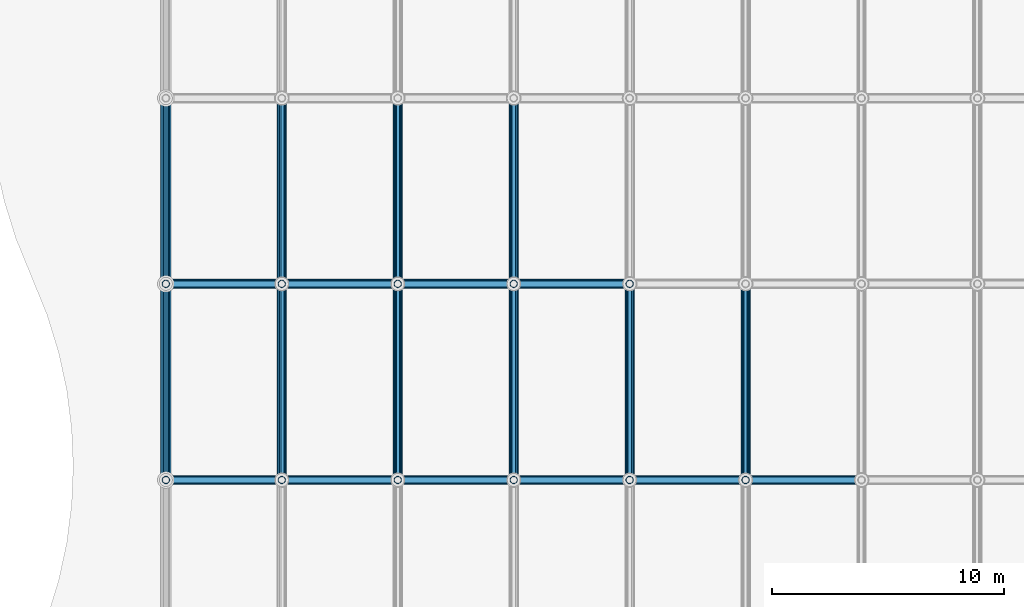
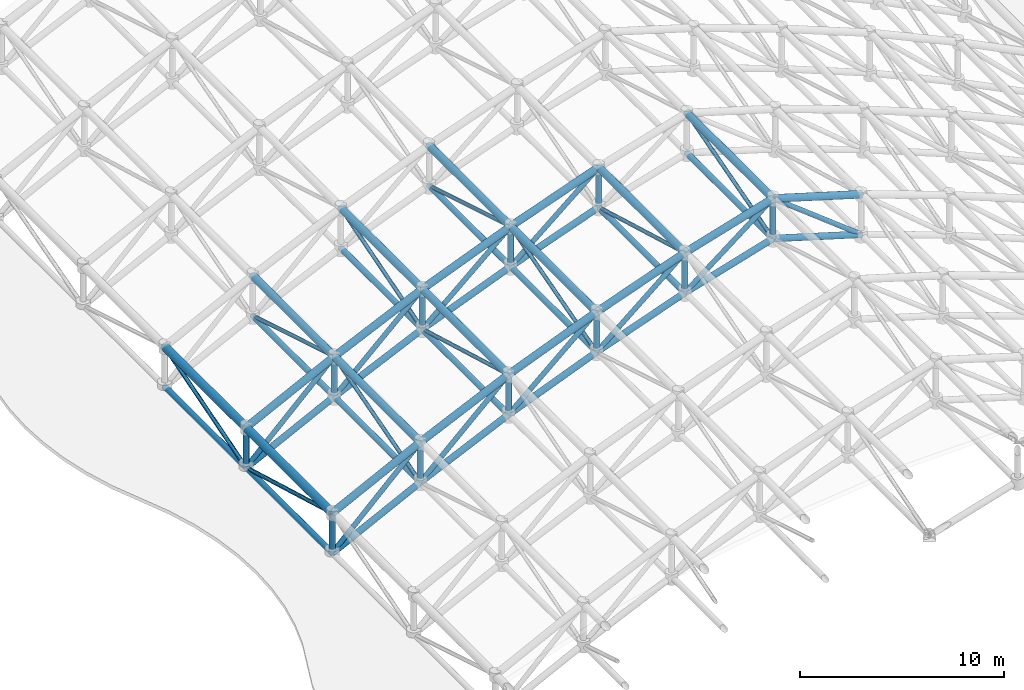
# One storey, part 4 of 11: 71 members.
"""IFC4 building model written with IfcOpenShell, lengths in metres."""

from ifc_helpers import new_model, si_unit, direction, frame, origin, origin_2d, place, context, subcontext, project, spatial, hollow_circle, extrude, material, material_profile, profile_set, type_object, element, save


model = new_model("IFC4")

# Units and contexts
model_context = context("Model", 3, precision=1e-05, world=origin(), true_north=direction((0.0, 1.0)))
body_context = subcontext(model_context, "Body", "Model", "MODEL_VIEW")
ifc_project = project(units=[si_unit("LENGTHUNIT", "METRE"), si_unit("AREAUNIT", "SQUARE_METRE"), si_unit("VOLUMEUNIT", "CUBIC_METRE"), si_unit("PLANEANGLEUNIT", "RADIAN"), si_unit("MASSUNIT", "GRAM", prefix="KILO")], contexts=[model_context])

# Site, building, storey
site_placement = place(None, origin())
site = spatial("IfcSite", under=ifc_project, at=site_placement, CompositionType="ELEMENT")
building_placement = place(site_placement, origin())
building = spatial("IfcBuilding", under=site, at=building_placement, Name="Kazehara Bluff Congress Hotel", CompositionType="ELEMENT")
storey_placement = place(building_placement, frame((0.0, 0.0, 50.39990234375)))
storey = spatial("IfcBuildingStorey", under=building, at=storey_placement, Name="RF", CompositionType="ELEMENT", Elevation=50.39990234375)

# Members
ifc_material_1 = material(Name="Steel STK490", Category="steel")
ifc_material_profile_1 = material_profile(ifc_material_1, hollow_circle(Radius=0.177734375, WallThickness=0.0126953125, at=origin_2d()))
ifc_profile_set_1 = profile_set([ifc_material_profile_1], Name="Steel STK490")
member_type_1 = type_object("IfcMemberType", Name="TP-SF-BC1", PredefinedType="CHORD", material=ifc_profile_set_1)
member_1_placement = place(storey_placement, frame((8.39990234375, 72.449951171875, -30.599853515625), z_axis=(0.894252293271, 0.0, 0.447563220093), x_axis=(0.0, 1.0, 0.0)))
element("IfcMember", 1, at=member_1_placement, inside=storey, type_object=member_type_1, Name="Congress roof space frame bottom arch chord 62", PredefinedType="CHORD", context=body_context, shape_type="SweptSolid", body=[
    extrude(hollow_circle(Radius=0.177734375, WallThickness=0.0126953125, at=origin_2d()), origin(), (0.0, 0.0, 1.0), 5.585693359375),
])
member_2_placement = place(storey_placement, frame((13.39501953125, 72.449951171875, -28.099853515625), z_axis=(0.908324180475, 0.0, 0.41826688031), x_axis=(0.0, 1.0, 0.0)))
element("IfcMember", 2, at=member_2_placement, inside=storey, type_object=member_type_1, Name="Congress roof space frame bottom arch chord 64", PredefinedType="CHORD", context=body_context, shape_type="SweptSolid", body=[
    extrude(hollow_circle(Radius=0.177734375, WallThickness=0.0126953125, at=origin_2d()), origin(), (0.0, 0.0, 1.0), 5.4990234375),
])
member_3_placement = place(storey_placement, frame((18.389892578125, 72.449951171875, -25.7998046875), z_axis=(0.928351468575, 0.0, 0.371703579207), x_axis=(0.0, 1.0, 0.0)))
element("IfcMember", 3, at=member_3_placement, inside=storey, type_object=member_type_1, Name="Congress roof space frame bottom arch chord 66", PredefinedType="CHORD", context=body_context, shape_type="SweptSolid", body=[
    extrude(hollow_circle(Radius=0.177734375, WallThickness=0.0126953125, at=origin_2d()), origin(), (0.0, 0.0, 1.0), 5.380615234375),
])
member_4_placement = place(storey_placement, frame((23.385009765625, 72.449951171875, -23.7998046875), z_axis=(0.940788303939, 0.0, 0.338994641803), x_axis=(0.0, 1.0, 0.0)))
element("IfcMember", 4, at=member_4_placement, inside=storey, type_object=member_type_1, Name="Congress roof space frame bottom arch chord 68", PredefinedType="CHORD", context=body_context, shape_type="SweptSolid", body=[
    extrude(hollow_circle(Radius=0.177734375, WallThickness=0.0126953125, at=origin_2d()), origin(), (0.0, 0.0, 1.0), 5.309326171875),
])
for number, where, z_axis, x_axis, name in (
    (5, (28.3798828125, 72.449951171875, -22.0), (0.957748948325, 0.0, 0.287605549292), (0.0, 1.0, 0.0), "Congress roof space frame bottom arch chord 70"),
    (6, (33.375, 72.449951171875, -20.5), (0.957748948325, 0.0, -0.287605549292), (0.0, 1.0, 0.0), "Congress roof space frame bottom arch chord 72"),
):
    element("IfcMember", number, at=place(storey_placement, frame(where, z_axis=z_axis, x_axis=x_axis)), inside=storey, type_object=member_type_1, Name=name, PredefinedType="CHORD", context=body_context, shape_type="SweptSolid", body=[
        extrude(hollow_circle(Radius=0.177734375, WallThickness=0.0126953125, at=origin_2d()), origin(), (0.0, 0.0, 1.0), 5.215576171875),
    ])
member_5_placement = place(storey_placement, frame((8.39990234375, 80.89990234375, -30.599853515625), z_axis=(0.894252293271, 0.0, 0.447563220093), x_axis=(0.0, 1.0, 0.0)))
element("IfcMember", 7, at=member_5_placement, inside=storey, type_object=member_type_1, Name="Congress roof space frame bottom arch chord 82", PredefinedType="CHORD", context=body_context, shape_type="SweptSolid", body=[
    extrude(hollow_circle(Radius=0.177734375, WallThickness=0.0126953125, at=origin_2d()), origin(), (0.0, 0.0, 1.0), 5.585693359375),
])
member_6_placement = place(storey_placement, frame((13.39501953125, 80.89990234375, -28.099853515625), z_axis=(0.908324180475, 0.0, 0.41826688031), x_axis=(0.0, 1.0, 0.0)))
element("IfcMember", 8, at=member_6_placement, inside=storey, type_object=member_type_1, Name="Congress roof space frame bottom arch chord 84", PredefinedType="CHORD", context=body_context, shape_type="SweptSolid", body=[
    extrude(hollow_circle(Radius=0.177734375, WallThickness=0.0126953125, at=origin_2d()), origin(), (0.0, 0.0, 1.0), 5.4990234375),
])
member_7_placement = place(storey_placement, frame((18.389892578125, 80.89990234375, -25.7998046875), z_axis=(0.928351468575, 0.0, 0.371703579207), x_axis=(0.0, 1.0, 0.0)))
element("IfcMember", 9, at=member_7_placement, inside=storey, type_object=member_type_1, Name="Congress roof space frame bottom arch chord 86", PredefinedType="CHORD", context=body_context, shape_type="SweptSolid", body=[
    extrude(hollow_circle(Radius=0.177734375, WallThickness=0.0126953125, at=origin_2d()), origin(), (0.0, 0.0, 1.0), 5.380615234375),
])
member_8_placement = place(storey_placement, frame((23.385009765625, 80.89990234375, -23.7998046875), z_axis=(0.940788303939, 0.0, 0.338994641803), x_axis=(0.0, 1.0, 0.0)))
element("IfcMember", 10, at=member_8_placement, inside=storey, type_object=member_type_1, Name="Congress roof space frame bottom arch chord 88", PredefinedType="CHORD", context=body_context, shape_type="SweptSolid", body=[
    extrude(hollow_circle(Radius=0.177734375, WallThickness=0.0126953125, at=origin_2d()), origin(), (0.0, 0.0, 1.0), 5.309326171875),
])
ifc_material_2 = material(Name="Steel STK490", Category="steel")
ifc_material_profile_2 = material_profile(ifc_material_2, hollow_circle(Radius=0.1591796875, WallThickness=0.01025390625, at=origin_2d()))
ifc_profile_set_2 = profile_set([ifc_material_profile_2], Name="Steel STK490")
member_type_2 = type_object("IfcMemberType", Name="TP-SF-BC2", PredefinedType="CHORD", material=ifc_profile_set_2)
member_9_placement = place(storey_placement, frame((8.39990234375, 72.449951171875, -30.599853515625), z_axis=(0.0, 1.0, 0.0), x_axis=(-1.0, 0.0, 0.0)))
element("IfcMember", 11, at=member_9_placement, inside=storey, type_object=member_type_2, Name="Congress roof space frame bottom longitudinal chord 188", PredefinedType="CHORD", context=body_context, shape_type="SweptSolid", body=[
    extrude(hollow_circle(Radius=0.1591796875, WallThickness=0.01025390625, at=origin_2d()), origin(), (0.0, 0.0, 1.0), 8.449951171875),
])
member_10_placement = place(storey_placement, frame((8.39990234375, 80.89990234375, -30.599853515625), z_axis=(0.0, 1.0, 0.0), x_axis=(-1.0, 0.0, 0.0)))
element("IfcMember", 12, at=member_10_placement, inside=storey, type_object=member_type_2, Name="Congress roof space frame bottom longitudinal chord 190", PredefinedType="CHORD", context=body_context, shape_type="SweptSolid", body=[
    extrude(hollow_circle(Radius=0.1591796875, WallThickness=0.01025390625, at=origin_2d()), origin(), (0.0, 0.0, 1.0), 8.0),
])
member_11_placement = place(storey_placement, frame((13.39501953125, 72.449951171875, -28.099853515625), z_axis=(0.0, 1.0, 0.0), x_axis=(-1.0, 0.0, 0.0)))
element("IfcMember", 13, at=member_11_placement, inside=storey, type_object=member_type_2, Name="Congress roof space frame bottom longitudinal chord 204", PredefinedType="CHORD", context=body_context, shape_type="SweptSolid", body=[
    extrude(hollow_circle(Radius=0.1591796875, WallThickness=0.01025390625, at=origin_2d()), origin(), (0.0, 0.0, 1.0), 8.449951171875),
])
member_12_placement = place(storey_placement, frame((13.39501953125, 80.89990234375, -28.099853515625), z_axis=(0.0, 1.0, 0.0), x_axis=(-1.0, 0.0, 0.0)))
element("IfcMember", 14, at=member_12_placement, inside=storey, type_object=member_type_2, Name="Congress roof space frame bottom longitudinal chord 206", PredefinedType="CHORD", context=body_context, shape_type="SweptSolid", body=[
    extrude(hollow_circle(Radius=0.1591796875, WallThickness=0.01025390625, at=origin_2d()), origin(), (0.0, 0.0, 1.0), 8.0),
])
member_13_placement = place(storey_placement, frame((18.389892578125, 72.449951171875, -25.7998046875), z_axis=(0.0, 1.0, 0.0), x_axis=(-1.0, 0.0, 0.0)))
element("IfcMember", 15, at=member_13_placement, inside=storey, type_object=member_type_2, Name="Congress roof space frame bottom longitudinal chord 220", PredefinedType="CHORD", context=body_context, shape_type="SweptSolid", body=[
    extrude(hollow_circle(Radius=0.1591796875, WallThickness=0.01025390625, at=origin_2d()), origin(), (0.0, 0.0, 1.0), 8.449951171875),
])
member_14_placement = place(storey_placement, frame((18.389892578125, 80.89990234375, -25.7998046875), z_axis=(0.0, 1.0, 0.0), x_axis=(-1.0, 0.0, 0.0)))
element("IfcMember", 16, at=member_14_placement, inside=storey, type_object=member_type_2, Name="Congress roof space frame bottom longitudinal chord 222", PredefinedType="CHORD", context=body_context, shape_type="SweptSolid", body=[
    extrude(hollow_circle(Radius=0.1591796875, WallThickness=0.01025390625, at=origin_2d()), origin(), (0.0, 0.0, 1.0), 8.0),
])
member_15_placement = place(storey_placement, frame((23.385009765625, 72.449951171875, -23.7998046875), z_axis=(0.0, 1.0, 0.0), x_axis=(-1.0, 0.0, 0.0)))
element("IfcMember", 17, at=member_15_placement, inside=storey, type_object=member_type_2, Name="Congress roof space frame bottom longitudinal chord 236", PredefinedType="CHORD", context=body_context, shape_type="SweptSolid", body=[
    extrude(hollow_circle(Radius=0.1591796875, WallThickness=0.01025390625, at=origin_2d()), origin(), (0.0, 0.0, 1.0), 8.449951171875),
])
member_16_placement = place(storey_placement, frame((23.385009765625, 80.89990234375, -23.7998046875), z_axis=(0.0, 1.0, 0.0), x_axis=(-1.0, 0.0, 0.0)))
element("IfcMember", 18, at=member_16_placement, inside=storey, type_object=member_type_2, Name="Congress roof space frame bottom longitudinal chord 238", PredefinedType="CHORD", context=body_context, shape_type="SweptSolid", body=[
    extrude(hollow_circle(Radius=0.1591796875, WallThickness=0.01025390625, at=origin_2d()), origin(), (0.0, 0.0, 1.0), 8.0),
])
for number, where, z_axis, x_axis, name in (
    (19, (28.3798828125, 72.449951171875, -22.0), (0.0, 1.0, 0.0), (-1.0, 0.0, 0.0), "Congress roof space frame bottom longitudinal chord 252"),
    (20, (33.375, 72.449951171875, -20.5), (0.0, 1.0, 0.0), (-1.0, 0.0, 0.0), "Congress roof space frame bottom longitudinal chord 268"),
):
    element("IfcMember", number, at=place(storey_placement, frame(where, z_axis=z_axis, x_axis=x_axis)), inside=storey, type_object=member_type_2, Name=name, PredefinedType="CHORD", context=body_context, shape_type="SweptSolid", body=[
        extrude(hollow_circle(Radius=0.1591796875, WallThickness=0.01025390625, at=origin_2d()), origin(), (0.0, 0.0, 1.0), 8.449951171875),
    ])
ifc_material_3 = material(Name="Steel STK490", Category="steel")
ifc_material_profile_3 = material_profile(ifc_material_3, hollow_circle(Radius=0.1337890625, WallThickness=0.00927734375, at=origin_2d()))
ifc_profile_set_3 = profile_set([ifc_material_profile_3], Name="Steel STK490")
member_type_3 = type_object("IfcMemberType", Name="TP-SF-DG1", PredefinedType="BRACE", material=ifc_profile_set_3)
member_17_placement = place(storey_placement, frame((8.39990234375, 72.449951171875, -30.599853515625), z_axis=(0.713877868379, 0.0, 0.700270225726), x_axis=(0.0, 1.0, 0.0)))
element("IfcMember", 21, at=member_17_placement, inside=storey, type_object=member_type_3, Name="Congress roof space frame arch web diagonal 486", PredefinedType="BRACE", context=body_context, shape_type="SweptSolid", body=[
    extrude(hollow_circle(Radius=0.1337890625, WallThickness=0.00927734375, at=origin_2d()), origin(), (0.0, 0.0, 1.0), 6.9970703125),
])
member_18_placement = place(storey_placement, frame((13.39501953125, 72.449951171875, -28.099853515625), z_axis=(0.728280456647, 0.0, 0.685279195997), x_axis=(0.0, 1.0, 0.0)))
element("IfcMember", 22, at=member_18_placement, inside=storey, type_object=member_type_3, Name="Congress roof space frame arch web diagonal 487", PredefinedType="BRACE", context=body_context, shape_type="SweptSolid", body=[
    extrude(hollow_circle(Radius=0.1337890625, WallThickness=0.00927734375, at=origin_2d()), origin(), (0.0, 0.0, 1.0), 6.8583984375),
])
member_19_placement = place(storey_placement, frame((18.389892578125, 72.449951171875, -25.7998046875), z_axis=(0.750400574845, 0.0, 0.660983341146), x_axis=(0.0, 1.0, 0.0)))
element("IfcMember", 23, at=member_19_placement, inside=storey, type_object=member_type_3, Name="Congress roof space frame arch web diagonal 488", PredefinedType="BRACE", context=body_context, shape_type="SweptSolid", body=[
    extrude(hollow_circle(Radius=0.1337890625, WallThickness=0.00927734375, at=origin_2d()), origin(), (0.0, 0.0, 1.0), 6.656494140625),
])
member_20_placement = place(storey_placement, frame((23.385009765625, 72.449951171875, -23.7998046875), z_axis=(0.765383445182, 0.0, 0.643574534799), x_axis=(0.0, 1.0, 0.0)))
element("IfcMember", 24, at=member_20_placement, inside=storey, type_object=member_type_3, Name="Congress roof space frame arch web diagonal 489", PredefinedType="BRACE", context=body_context, shape_type="SweptSolid", body=[
    extrude(hollow_circle(Radius=0.1337890625, WallThickness=0.00927734375, at=origin_2d()), origin(), (0.0, 0.0, 1.0), 6.52587890625),
])
for number, where, z_axis, x_axis, name in (
    (25, (28.3798828125, 72.449951171875, -22.0), (0.788199556762, 0.0, 0.6154197419), (0.0, 1.0, 0.0), "Congress roof space frame arch web diagonal 490"),
    (26, (33.375, 72.449951171875, -18.099853515625), (0.788199556762, 0.0, -0.6154197419), (0.0, 1.0, 0.0), "Congress roof space frame arch web diagonal 491"),
):
    element("IfcMember", number, at=place(storey_placement, frame(where, z_axis=z_axis, x_axis=x_axis)), inside=storey, type_object=member_type_3, Name=name, PredefinedType="BRACE", context=body_context, shape_type="SweptSolid", body=[
        extrude(hollow_circle(Radius=0.1337890625, WallThickness=0.00927734375, at=origin_2d()), origin(), (0.0, 0.0, 1.0), 6.33740234375),
    ])
member_21_placement = place(storey_placement, frame((8.39990234375, 80.89990234375, -30.599853515625), z_axis=(0.713877868379, 0.0, 0.700270225726), x_axis=(0.0, 1.0, 0.0)))
element("IfcMember", 27, at=member_21_placement, inside=storey, type_object=member_type_3, Name="Congress roof space frame arch web diagonal 496", PredefinedType="BRACE", context=body_context, shape_type="SweptSolid", body=[
    extrude(hollow_circle(Radius=0.1337890625, WallThickness=0.00927734375, at=origin_2d()), origin(), (0.0, 0.0, 1.0), 6.9970703125),
])
member_22_placement = place(storey_placement, frame((13.39501953125, 80.89990234375, -28.099853515625), z_axis=(0.728280456647, 0.0, 0.685279195997), x_axis=(0.0, 1.0, 0.0)))
element("IfcMember", 28, at=member_22_placement, inside=storey, type_object=member_type_3, Name="Congress roof space frame arch web diagonal 497", PredefinedType="BRACE", context=body_context, shape_type="SweptSolid", body=[
    extrude(hollow_circle(Radius=0.1337890625, WallThickness=0.00927734375, at=origin_2d()), origin(), (0.0, 0.0, 1.0), 6.8583984375),
])
member_23_placement = place(storey_placement, frame((18.389892578125, 80.89990234375, -25.7998046875), z_axis=(0.750400574845, 0.0, 0.660983341146), x_axis=(0.0, 1.0, 0.0)))
element("IfcMember", 29, at=member_23_placement, inside=storey, type_object=member_type_3, Name="Congress roof space frame arch web diagonal 498", PredefinedType="BRACE", context=body_context, shape_type="SweptSolid", body=[
    extrude(hollow_circle(Radius=0.1337890625, WallThickness=0.00927734375, at=origin_2d()), origin(), (0.0, 0.0, 1.0), 6.656494140625),
])
member_24_placement = place(storey_placement, frame((23.385009765625, 80.89990234375, -23.7998046875), z_axis=(0.765383445182, 0.0, 0.643574534799), x_axis=(0.0, 1.0, 0.0)))
element("IfcMember", 30, at=member_24_placement, inside=storey, type_object=member_type_3, Name="Congress roof space frame arch web diagonal 499", PredefinedType="BRACE", context=body_context, shape_type="SweptSolid", body=[
    extrude(hollow_circle(Radius=0.1337890625, WallThickness=0.00927734375, at=origin_2d()), origin(), (0.0, 0.0, 1.0), 6.52587890625),
])
ifc_material_4 = material(Name="Steel STK490", Category="steel")
ifc_material_profile_4 = material_profile(ifc_material_4, hollow_circle(Radius=0.108154296875, WallThickness=0.00830078125, at=origin_2d()))
ifc_profile_set_4 = profile_set([ifc_material_profile_4], Name="Steel STK490")
member_type_4 = type_object("IfcMemberType", Name="TP-SF-DG2", PredefinedType="BRACE", material=ifc_profile_set_4)
member_25_placement = place(storey_placement, frame((8.39990234375, 72.449951171875, -28.199951171875), z_axis=(0.0, 0.961954865821, -0.273208411517), x_axis=(-1.0, 0.0, 0.0)))
element("IfcMember", 31, at=member_25_placement, inside=storey, type_object=member_type_4, Name="Congress roof space frame transverse web diagonal 549", PredefinedType="BRACE", context=body_context, shape_type="SweptSolid", body=[
    extrude(hollow_circle(Radius=0.108154296875, WallThickness=0.00830078125, at=origin_2d()), origin(), (0.0, 0.0, 1.0), 8.7841796875),
])
member_26_placement = place(storey_placement, frame((8.39990234375, 80.89990234375, -30.599853515625), z_axis=(0.0, 0.957829503213, 0.287337158709), x_axis=(-1.0, 0.0, 0.0)))
element("IfcMember", 32, at=member_26_placement, inside=storey, type_object=member_type_4, Name="Congress roof space frame transverse web diagonal 550", PredefinedType="BRACE", context=body_context, shape_type="SweptSolid", body=[
    extrude(hollow_circle(Radius=0.108154296875, WallThickness=0.00830078125, at=origin_2d()), origin(), (0.0, 0.0, 1.0), 8.352294921875),
])
member_27_placement = place(storey_placement, frame((13.39501953125, 72.449951171875, -28.099853515625), z_axis=(0.0, 0.961954865821, 0.273208411517), x_axis=(-1.0, 0.0, 0.0)))
element("IfcMember", 33, at=member_27_placement, inside=storey, type_object=member_type_4, Name="Congress roof space frame transverse web diagonal 557", PredefinedType="BRACE", context=body_context, shape_type="SweptSolid", body=[
    extrude(hollow_circle(Radius=0.108154296875, WallThickness=0.00830078125, at=origin_2d()), origin(), (0.0, 0.0, 1.0), 8.7841796875),
])
member_28_placement = place(storey_placement, frame((13.39501953125, 80.89990234375, -25.699951171875), z_axis=(0.0, 0.957829503213, -0.287337158709), x_axis=(-1.0, 0.0, 0.0)))
element("IfcMember", 34, at=member_28_placement, inside=storey, type_object=member_type_4, Name="Congress roof space frame transverse web diagonal 558", PredefinedType="BRACE", context=body_context, shape_type="SweptSolid", body=[
    extrude(hollow_circle(Radius=0.108154296875, WallThickness=0.00830078125, at=origin_2d()), origin(), (0.0, 0.0, 1.0), 8.352294921875),
])
member_29_placement = place(storey_placement, frame((18.389892578125, 72.449951171875, -23.39990234375), z_axis=(0.0, 0.961954865821, -0.273208411517), x_axis=(-1.0, 0.0, 0.0)))
element("IfcMember", 35, at=member_29_placement, inside=storey, type_object=member_type_4, Name="Congress roof space frame transverse web diagonal 565", PredefinedType="BRACE", context=body_context, shape_type="SweptSolid", body=[
    extrude(hollow_circle(Radius=0.108154296875, WallThickness=0.00830078125, at=origin_2d()), origin(), (0.0, 0.0, 1.0), 8.7841796875),
])
member_30_placement = place(storey_placement, frame((18.389892578125, 80.89990234375, -25.7998046875), z_axis=(0.0, 0.957829503213, 0.287337158709), x_axis=(-1.0, 0.0, 0.0)))
element("IfcMember", 36, at=member_30_placement, inside=storey, type_object=member_type_4, Name="Congress roof space frame transverse web diagonal 566", PredefinedType="BRACE", context=body_context, shape_type="SweptSolid", body=[
    extrude(hollow_circle(Radius=0.108154296875, WallThickness=0.00830078125, at=origin_2d()), origin(), (0.0, 0.0, 1.0), 8.352294921875),
])
member_31_placement = place(storey_placement, frame((23.385009765625, 72.449951171875, -23.7998046875), z_axis=(0.0, 0.961954865821, 0.273208411517), x_axis=(-1.0, 0.0, 0.0)))
element("IfcMember", 37, at=member_31_placement, inside=storey, type_object=member_type_4, Name="Congress roof space frame transverse web diagonal 573", PredefinedType="BRACE", context=body_context, shape_type="SweptSolid", body=[
    extrude(hollow_circle(Radius=0.108154296875, WallThickness=0.00830078125, at=origin_2d()), origin(), (0.0, 0.0, 1.0), 8.7841796875),
])
member_32_placement = place(storey_placement, frame((23.385009765625, 80.89990234375, -21.39990234375), z_axis=(0.0, 0.957829503213, -0.287337158709), x_axis=(-1.0, 0.0, 0.0)))
element("IfcMember", 38, at=member_32_placement, inside=storey, type_object=member_type_4, Name="Congress roof space frame transverse web diagonal 574", PredefinedType="BRACE", context=body_context, shape_type="SweptSolid", body=[
    extrude(hollow_circle(Radius=0.108154296875, WallThickness=0.00830078125, at=origin_2d()), origin(), (0.0, 0.0, 1.0), 8.352294921875),
])
for number, where, z_axis, x_axis, name in (
    (39, (28.3798828125, 72.449951171875, -19.599853515625), (0.0, 0.961947561052, -0.273234129979), (-1.0, 0.0, 0.0), "Congress roof space frame transverse web diagonal 581"),
    (40, (33.375, 72.449951171875, -20.5), (0.0, 0.961947561052, 0.273234129979), (-1.0, 0.0, 0.0), "Congress roof space frame transverse web diagonal 589"),
):
    element("IfcMember", number, at=place(storey_placement, frame(where, z_axis=z_axis, x_axis=x_axis)), inside=storey, type_object=member_type_4, Name=name, PredefinedType="BRACE", context=body_context, shape_type="SweptSolid", body=[
        extrude(hollow_circle(Radius=0.108154296875, WallThickness=0.00830078125, at=origin_2d()), origin(), (0.0, 0.0, 1.0), 8.7841796875),
    ])
ifc_material_5 = material(Name="Steel STK490", Category="steel")
ifc_material_profile_5 = material_profile(ifc_material_5, hollow_circle(Radius=0.1591796875, WallThickness=0.01025390625, at=origin_2d()))
ifc_profile_set_5 = profile_set([ifc_material_profile_5], Name="Steel STK490")
member_type_5 = type_object("IfcMemberType", Name="TP-SF-PS1", PredefinedType="POST", material=ifc_profile_set_5)
for number, where, z_axis, x_axis, name in (
    (41, (8.39990234375, 72.449951171875, -30.599853515625), (0.0, 0.0, 1.0), (1.0, 0.0, 0.0), "Congress roof space frame vertical post 360"),
    (42, (8.39990234375, 80.89990234375, -30.599853515625), (0.0, 0.0, 1.0), (1.0, 0.0, 0.0), "Congress roof space frame vertical post 361"),
    (43, (13.39501953125, 72.449951171875, -28.099853515625), (0.0, 0.0, 1.0), (1.0, 0.0, 0.0), "Congress roof space frame vertical post 369"),
    (44, (13.39501953125, 80.89990234375, -28.099853515625), (0.0, 0.0, 1.0), (1.0, 0.0, 0.0), "Congress roof space frame vertical post 370"),
    (45, (18.389892578125, 72.449951171875, -25.7998046875), (0.0, 0.0, 1.0), (1.0, 0.0, 0.0), "Congress roof space frame vertical post 378"),
    (46, (18.389892578125, 80.89990234375, -25.7998046875), (0.0, 0.0, 1.0), (1.0, 0.0, 0.0), "Congress roof space frame vertical post 379"),
    (47, (23.385009765625, 72.449951171875, -23.7998046875), (0.0, 0.0, 1.0), (1.0, 0.0, 0.0), "Congress roof space frame vertical post 387"),
    (48, (23.385009765625, 80.89990234375, -23.7998046875), (0.0, 0.0, 1.0), (1.0, 0.0, 0.0), "Congress roof space frame vertical post 388"),
):
    element("IfcMember", number, at=place(storey_placement, frame(where, z_axis=z_axis, x_axis=x_axis)), inside=storey, type_object=member_type_5, Name=name, PredefinedType="POST", context=body_context, shape_type="SweptSolid", body=[
        extrude(hollow_circle(Radius=0.1591796875, WallThickness=0.01025390625, at=origin_2d()), origin(), (0.0, 0.0, 1.0), 2.39990234375),
    ])
for number, where, z_axis, x_axis, name in (
    (49, (28.3798828125, 72.449951171875, -22.0), (0.0, 0.0, 1.0), (1.0, 0.0, 0.0), "Congress roof space frame vertical post 396"),
    (50, (28.3798828125, 80.89990234375, -22.0), (0.0, 0.0, 1.0), (1.0, 0.0, 0.0), "Congress roof space frame vertical post 397"),
    (51, (33.375, 72.449951171875, -20.5), (0.0, 0.0, 1.0), (1.0, 0.0, 0.0), "Congress roof space frame vertical post 405"),
):
    element("IfcMember", number, at=place(storey_placement, frame(where, z_axis=z_axis, x_axis=x_axis)), inside=storey, type_object=member_type_5, Name=name, PredefinedType="POST", context=body_context, shape_type="SweptSolid", body=[
        extrude(hollow_circle(Radius=0.1591796875, WallThickness=0.01025390625, at=origin_2d()), origin(), (0.0, 0.0, 1.0), 2.400146484375),
    ])
ifc_material_6 = material(Name="Steel STK490", Category="steel")
ifc_material_profile_6 = material_profile(ifc_material_6, hollow_circle(Radius=0.203125, WallThickness=0.0126953125, at=origin_2d()))
ifc_profile_set_6 = profile_set([ifc_material_profile_6], Name="Steel STK490")
member_type_6 = type_object("IfcMemberType", Name="TP-SF-TC1", PredefinedType="CHORD", material=ifc_profile_set_6)
member_33_placement = place(storey_placement, frame((8.39990234375, 72.449951171875, -28.199951171875), z_axis=(0.894252293271, 0.0, 0.447563220093), x_axis=(0.0, 1.0, 0.0)))
element("IfcMember", 52, at=member_33_placement, inside=storey, type_object=member_type_6, Name="Congress roof space frame top arch chord 61", PredefinedType="CHORD", context=body_context, shape_type="SweptSolid", body=[
    extrude(hollow_circle(Radius=0.203125, WallThickness=0.0126953125, at=origin_2d()), origin(), (0.0, 0.0, 1.0), 5.585693359375),
])
member_34_placement = place(storey_placement, frame((13.39501953125, 72.449951171875, -25.699951171875), z_axis=(0.908324180475, 0.0, 0.41826688031), x_axis=(0.0, 1.0, 0.0)))
element("IfcMember", 53, at=member_34_placement, inside=storey, type_object=member_type_6, Name="Congress roof space frame top arch chord 63", PredefinedType="CHORD", context=body_context, shape_type="SweptSolid", body=[
    extrude(hollow_circle(Radius=0.203125, WallThickness=0.0126953125, at=origin_2d()), origin(), (0.0, 0.0, 1.0), 5.4990234375),
])
member_35_placement = place(storey_placement, frame((18.389892578125, 72.449951171875, -23.39990234375), z_axis=(0.928351468575, 0.0, 0.371703579207), x_axis=(0.0, 1.0, 0.0)))
element("IfcMember", 54, at=member_35_placement, inside=storey, type_object=member_type_6, Name="Congress roof space frame top arch chord 65", PredefinedType="CHORD", context=body_context, shape_type="SweptSolid", body=[
    extrude(hollow_circle(Radius=0.203125, WallThickness=0.0126953125, at=origin_2d()), origin(), (0.0, 0.0, 1.0), 5.380615234375),
])
member_36_placement = place(storey_placement, frame((23.385009765625, 72.449951171875, -21.39990234375), z_axis=(0.940773637944, 0.0, 0.339035340562), x_axis=(0.0, 1.0, 0.0)))
element("IfcMember", 55, at=member_36_placement, inside=storey, type_object=member_type_6, Name="Congress roof space frame top arch chord 67", PredefinedType="CHORD", context=body_context, shape_type="SweptSolid", body=[
    extrude(hollow_circle(Radius=0.203125, WallThickness=0.0126953125, at=origin_2d()), origin(), (0.0, 0.0, 1.0), 5.309326171875),
])
for number, where, z_axis, x_axis, name in (
    (56, (28.3798828125, 72.449951171875, -19.599853515625), (0.957748948325, 0.0, 0.287605549292), (0.0, 1.0, 0.0), "Congress roof space frame top arch chord 69"),
    (57, (33.375, 72.449951171875, -18.099853515625), (0.957748948325, 0.0, -0.287605549292), (0.0, 1.0, 0.0), "Congress roof space frame top arch chord 71"),
):
    element("IfcMember", number, at=place(storey_placement, frame(where, z_axis=z_axis, x_axis=x_axis)), inside=storey, type_object=member_type_6, Name=name, PredefinedType="CHORD", context=body_context, shape_type="SweptSolid", body=[
        extrude(hollow_circle(Radius=0.203125, WallThickness=0.0126953125, at=origin_2d()), origin(), (0.0, 0.0, 1.0), 5.215576171875),
    ])
member_37_placement = place(storey_placement, frame((8.39990234375, 80.89990234375, -28.199951171875), z_axis=(0.894252293271, 0.0, 0.447563220093), x_axis=(0.0, 1.0, 0.0)))
element("IfcMember", 58, at=member_37_placement, inside=storey, type_object=member_type_6, Name="Congress roof space frame top arch chord 81", PredefinedType="CHORD", context=body_context, shape_type="SweptSolid", body=[
    extrude(hollow_circle(Radius=0.203125, WallThickness=0.0126953125, at=origin_2d()), origin(), (0.0, 0.0, 1.0), 5.585693359375),
])
member_38_placement = place(storey_placement, frame((13.39501953125, 80.89990234375, -25.699951171875), z_axis=(0.908324180475, 0.0, 0.41826688031), x_axis=(0.0, 1.0, 0.0)))
element("IfcMember", 59, at=member_38_placement, inside=storey, type_object=member_type_6, Name="Congress roof space frame top arch chord 83", PredefinedType="CHORD", context=body_context, shape_type="SweptSolid", body=[
    extrude(hollow_circle(Radius=0.203125, WallThickness=0.0126953125, at=origin_2d()), origin(), (0.0, 0.0, 1.0), 5.4990234375),
])
member_39_placement = place(storey_placement, frame((18.389892578125, 80.89990234375, -23.39990234375), z_axis=(0.928351468575, 0.0, 0.371703579207), x_axis=(0.0, 1.0, 0.0)))
element("IfcMember", 60, at=member_39_placement, inside=storey, type_object=member_type_6, Name="Congress roof space frame top arch chord 85", PredefinedType="CHORD", context=body_context, shape_type="SweptSolid", body=[
    extrude(hollow_circle(Radius=0.203125, WallThickness=0.0126953125, at=origin_2d()), origin(), (0.0, 0.0, 1.0), 5.380615234375),
])
member_40_placement = place(storey_placement, frame((23.385009765625, 80.89990234375, -21.39990234375), z_axis=(0.940773637944, 0.0, 0.339035340562), x_axis=(0.0, 1.0, 0.0)))
element("IfcMember", 61, at=member_40_placement, inside=storey, type_object=member_type_6, Name="Congress roof space frame top arch chord 87", PredefinedType="CHORD", context=body_context, shape_type="SweptSolid", body=[
    extrude(hollow_circle(Radius=0.203125, WallThickness=0.0126953125, at=origin_2d()), origin(), (0.0, 0.0, 1.0), 5.309326171875),
])
member_41_placement = place(storey_placement, frame((13.39501953125, 72.449951171875, -25.699951171875), z_axis=(0.0, 1.0, 0.0), x_axis=(-1.0, 0.0, 0.0)))
element("IfcMember", 62, at=member_41_placement, inside=storey, type_object=member_type_6, Name="Congress roof space frame top longitudinal chord 203", PredefinedType="CHORD", context=body_context, shape_type="SweptSolid", body=[
    extrude(hollow_circle(Radius=0.203125, WallThickness=0.0126953125, at=origin_2d()), origin(), (0.0, 0.0, 1.0), 8.449951171875),
])
member_42_placement = place(storey_placement, frame((13.39501953125, 80.89990234375, -25.699951171875), z_axis=(0.0, 1.0, 0.0), x_axis=(-1.0, 0.0, 0.0)))
element("IfcMember", 63, at=member_42_placement, inside=storey, type_object=member_type_6, Name="Congress roof space frame top longitudinal chord 205", PredefinedType="CHORD", context=body_context, shape_type="SweptSolid", body=[
    extrude(hollow_circle(Radius=0.203125, WallThickness=0.0126953125, at=origin_2d()), origin(), (0.0, 0.0, 1.0), 8.0),
])
member_43_placement = place(storey_placement, frame((18.389892578125, 72.449951171875, -23.39990234375), z_axis=(0.0, 1.0, 0.0), x_axis=(-1.0, 0.0, 0.0)))
element("IfcMember", 64, at=member_43_placement, inside=storey, type_object=member_type_6, Name="Congress roof space frame top longitudinal chord 219", PredefinedType="CHORD", context=body_context, shape_type="SweptSolid", body=[
    extrude(hollow_circle(Radius=0.203125, WallThickness=0.0126953125, at=origin_2d()), origin(), (0.0, 0.0, 1.0), 8.449951171875),
])
member_44_placement = place(storey_placement, frame((18.389892578125, 80.89990234375, -23.39990234375), z_axis=(0.0, 1.0, 0.0), x_axis=(-1.0, 0.0, 0.0)))
element("IfcMember", 65, at=member_44_placement, inside=storey, type_object=member_type_6, Name="Congress roof space frame top longitudinal chord 221", PredefinedType="CHORD", context=body_context, shape_type="SweptSolid", body=[
    extrude(hollow_circle(Radius=0.203125, WallThickness=0.0126953125, at=origin_2d()), origin(), (0.0, 0.0, 1.0), 8.0),
])
member_45_placement = place(storey_placement, frame((23.385009765625, 72.449951171875, -21.39990234375), z_axis=(0.0, 1.0, 0.0), x_axis=(-1.0, 0.0, 0.0)))
element("IfcMember", 66, at=member_45_placement, inside=storey, type_object=member_type_6, Name="Congress roof space frame top longitudinal chord 235", PredefinedType="CHORD", context=body_context, shape_type="SweptSolid", body=[
    extrude(hollow_circle(Radius=0.203125, WallThickness=0.0126953125, at=origin_2d()), origin(), (0.0, 0.0, 1.0), 8.449951171875),
])
member_46_placement = place(storey_placement, frame((23.385009765625, 80.89990234375, -21.39990234375), z_axis=(0.0, 1.0, 0.0), x_axis=(-1.0, 0.0, 0.0)))
element("IfcMember", 67, at=member_46_placement, inside=storey, type_object=member_type_6, Name="Congress roof space frame top longitudinal chord 237", PredefinedType="CHORD", context=body_context, shape_type="SweptSolid", body=[
    extrude(hollow_circle(Radius=0.203125, WallThickness=0.0126953125, at=origin_2d()), origin(), (0.0, 0.0, 1.0), 8.0),
])
for number, where, z_axis, x_axis, name in (
    (68, (28.3798828125, 72.449951171875, -19.599853515625), (0.0, 1.0, 0.0), (-1.0, 0.0, 0.0), "Congress roof space frame top longitudinal chord 251"),
    (69, (33.375, 72.449951171875, -18.099853515625), (0.0, 1.0, 0.0), (-1.0, 0.0, 0.0), "Congress roof space frame top longitudinal chord 267"),
):
    element("IfcMember", number, at=place(storey_placement, frame(where, z_axis=z_axis, x_axis=x_axis)), inside=storey, type_object=member_type_6, Name=name, PredefinedType="CHORD", context=body_context, shape_type="SweptSolid", body=[
        extrude(hollow_circle(Radius=0.203125, WallThickness=0.0126953125, at=origin_2d()), origin(), (0.0, 0.0, 1.0), 8.449951171875),
    ])
ifc_material_7 = material(Name="Steel STK490", Category="steel")
ifc_material_profile_7 = material_profile(ifc_material_7, hollow_circle(Radius=0.228515625, WallThickness=0.013916015625, at=origin_2d()))
ifc_profile_set_7 = profile_set([ifc_material_profile_7], Name="Steel STK490")
member_type_7 = type_object("IfcMemberType", Name="TP-SF-TC2", PredefinedType="CHORD", material=ifc_profile_set_7)
member_47_placement = place(storey_placement, frame((8.39990234375, 72.449951171875, -28.199951171875), z_axis=(0.0, 1.0, 0.0), x_axis=(-1.0, 0.0, 0.0)))
element("IfcMember", 70, at=member_47_placement, inside=storey, type_object=member_type_7, Name="Congress roof space frame top longitudinal chord 187", PredefinedType="CHORD", context=body_context, shape_type="SweptSolid", body=[
    extrude(hollow_circle(Radius=0.228515625, WallThickness=0.013916015625, at=origin_2d()), origin(), (0.0, 0.0, 1.0), 8.449951171875),
])
member_48_placement = place(storey_placement, frame((8.39990234375, 80.89990234375, -28.199951171875), z_axis=(0.0, 1.0, 0.0), x_axis=(-1.0, 0.0, 0.0)))
element("IfcMember", 71, at=member_48_placement, inside=storey, type_object=member_type_7, Name="Congress roof space frame top longitudinal chord 189", PredefinedType="CHORD", context=body_context, shape_type="SweptSolid", body=[
    extrude(hollow_circle(Radius=0.228515625, WallThickness=0.013916015625, at=origin_2d()), origin(), (0.0, 0.0, 1.0), 8.0),
])

save(model, "model.ifc")
